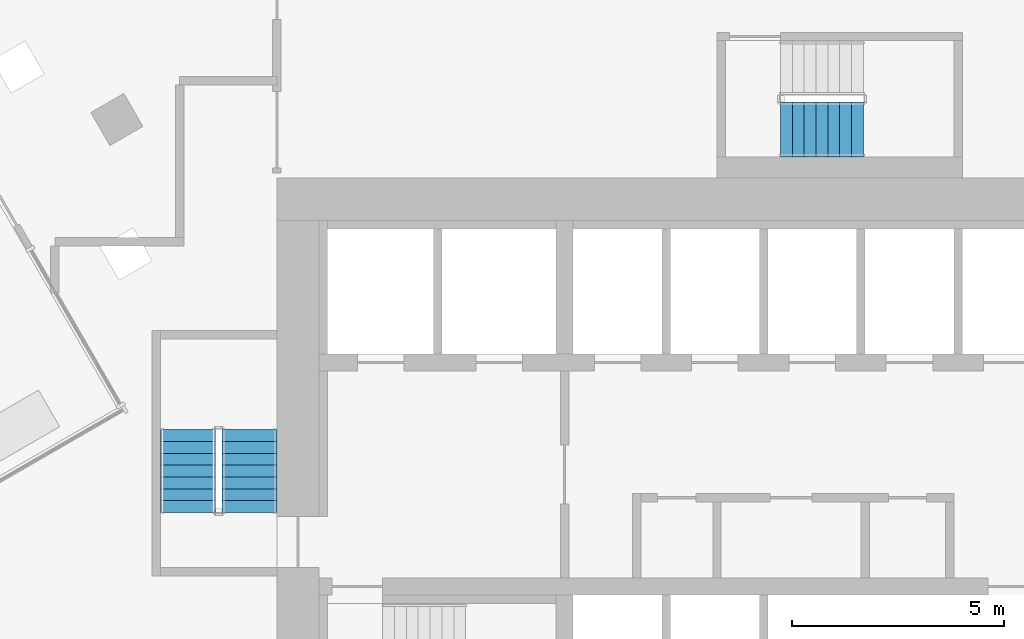
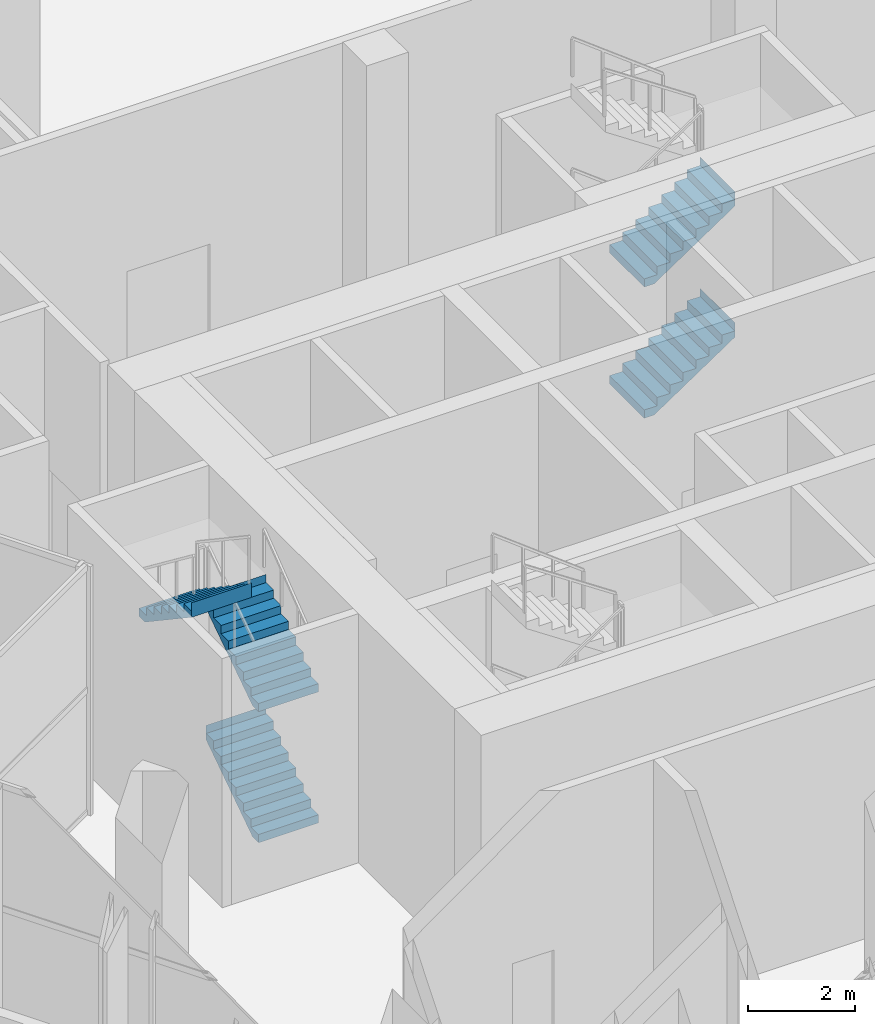
# One storey, part 16 of 23: 5 stair flights, 2 elements without a shape of their own.
"""IFC4 building model written with IfcOpenShell, lengths in metres."""

from ifc_helpers import new_model, si_unit, direction, frame, origin, place, context, subcontext, project, spatial, triangles, material, type_object, element, aggregate, save


model = new_model("IFC4")

# Units and contexts
model_context = context("Model", 3, precision=1e-05, world=origin(), true_north=direction((0.0, 1.0)))
body_context = subcontext(model_context, "Body", "Model", "MODEL_VIEW")
ifc_project = project(units=[si_unit("LENGTHUNIT", "METRE"), si_unit("AREAUNIT", "SQUARE_METRE"), si_unit("VOLUMEUNIT", "CUBIC_METRE"), si_unit("PLANEANGLEUNIT", "RADIAN"), si_unit("MASSUNIT", "GRAM", prefix="KILO")], contexts=[model_context])

# Site, building, storey
site_placement = place(None, origin())
site = spatial("IfcSite", under=ifc_project, at=site_placement, CompositionType="ELEMENT")
building_placement = place(site_placement, origin())
building = spatial("IfcBuilding", under=site, at=building_placement, Name="Beryl Residences", CompositionType="ELEMENT")
storey_placement = place(building_placement, frame((0.0, 0.0, 66.0)))
storey = spatial("IfcBuildingStorey", under=building, at=storey_placement, Name="L20", CompositionType="ELEMENT", Elevation=66.0)

# Stair, stair flights
ifc_material_1 = material(Name="Concrete C40/50", Category="concrete")
stair_type = type_object("IfcStairType", Name="ST1 protected exit stair, half-turn, 1300 mm flights", PredefinedType="HALF_TURN_STAIR", material=ifc_material_1)
stair_1_placement = place(storey_placement, origin())
stair_1 = element("IfcStair", 1, at=stair_1_placement, inside=storey, type_object=stair_type, Name="L20 PROTECTED EXIT STAIR ST-2", PredefinedType="HALF_TURN_STAIR")
ifc_material_2 = material(Name="Concrete C40/50", Category="concrete")
stair_flight_type = type_object("IfcStairFlightType", Name="SF1 stair flight 1300 mm", PredefinedType="STRAIGHT", material=ifc_material_2)
stair_flight_1_placement = place(storey_placement, frame((-13.949951171875, -12.89990234375, 0.0), z_axis=(0.0, 0.0, 1.0), x_axis=(0.0, 1.0, 0.0)))
stair_flight_1 = element("IfcStairFlight", 2, at=stair_flight_1_placement, type_object=stair_flight_type, Name="ST-2 flight 1", NumberOfRisers=8, NumberOfTreads=7, PredefinedType="STRAIGHT", RiserHeight=0.1875, TreadLength=0.28, context=body_context, shape_type="Tessellation", body=[
    triangles([(0.0, -0.64990234375, 0.0), (0.0, -0.324951171875, 0.0), (0.0, 0.0, 0.0), (0.0, 0.324951171875, 0.0), (0.0, 0.64990234375, 0.0), (0.0, -0.64990234375, 0.1875), (0.0, -0.324951171875, 0.1875), (0.0, 0.0, 0.1875), (0.0, 0.324951171875, 0.1875), (0.0, 0.64990234375, 0.1875), (0.280029296875, -0.64990234375, 0.1875), (0.280029296875, -0.324951171875, 0.1875), (0.280029296875, 0.0, 0.1875), (0.280029296875, 0.324951171875, 0.1875), (0.280029296875, 0.64990234375, 0.1875), (0.280029296875, -0.64990234375, 0.375), (0.280029296875, -0.324951171875, 0.375), (0.280029296875, 0.0, 0.375), (0.280029296875, 0.324951171875, 0.375), (0.280029296875, 0.64990234375, 0.375), (0.56005859375, -0.64990234375, 0.375), (0.56005859375, -0.324951171875, 0.375), (0.56005859375, 0.0, 0.375), (0.56005859375, 0.324951171875, 0.375), (0.56005859375, 0.64990234375, 0.375), (0.56005859375, -0.64990234375, 0.5625), (0.56005859375, -0.324951171875, 0.5625), (0.56005859375, 0.0, 0.5625), (0.56005859375, 0.324951171875, 0.5625), (0.56005859375, 0.64990234375, 0.5625), (0.840087890625, -0.64990234375, 0.5625), (0.840087890625, -0.324951171875, 0.5625), (0.840087890625, 0.0, 0.5625), (0.840087890625, 0.324951171875, 0.5625), (0.840087890625, 0.64990234375, 0.5625), (0.840087890625, -0.64990234375, 0.75), (0.840087890625, -0.324951171875, 0.75), (0.840087890625, 0.0, 0.75), (0.840087890625, 0.324951171875, 0.75), (0.840087890625, 0.64990234375, 0.75), (1.1201171875, -0.64990234375, 0.75), (1.1201171875, -0.324951171875, 0.75), (1.1201171875, 0.0, 0.75), (1.1201171875, 0.324951171875, 0.75), (1.1201171875, 0.64990234375, 0.75), (1.1201171875, -0.64990234375, 0.9375), (1.1201171875, -0.324951171875, 0.9375), (1.1201171875, 0.0, 0.9375), (1.1201171875, 0.324951171875, 0.9375), (1.1201171875, 0.64990234375, 0.9375), (1.39990234375, -0.64990234375, 0.9375), (1.39990234375, -0.324951171875, 0.9375), (1.39990234375, 0.0, 0.9375), (1.39990234375, 0.324951171875, 0.9375), (1.39990234375, 0.64990234375, 0.9375), (1.39990234375, -0.64990234375, 1.125), (1.39990234375, -0.324951171875, 1.125), (1.39990234375, 0.0, 1.125), (1.39990234375, 0.324951171875, 1.125), (1.39990234375, 0.64990234375, 1.125), (1.679931640625, -0.64990234375, 1.125), (1.679931640625, -0.324951171875, 1.125), (1.679931640625, 0.0, 1.125), (1.679931640625, 0.324951171875, 1.125), (1.679931640625, 0.64990234375, 1.125), (1.679931640625, -0.64990234375, 1.3125), (1.679931640625, -0.324951171875, 1.3125), (1.679931640625, 0.0, 1.3125), (1.679931640625, 0.324951171875, 1.3125), (1.679931640625, 0.64990234375, 1.3125), (1.9599609375, -0.64990234375, 1.3125), (1.9599609375, -0.324951171875, 1.3125), (1.9599609375, 0.0, 1.3125), (1.9599609375, 0.324951171875, 1.3125), (1.9599609375, 0.64990234375, 1.3125), (1.9599609375, -0.64990234375, 1.5), (1.9599609375, -0.324951171875, 1.5), (1.9599609375, 0.0, 1.5), (1.9599609375, 0.324951171875, 1.5), (1.9599609375, 0.64990234375, 1.5), (1.9609375, -0.64990234375, 1.5), (1.9609375, -0.324951171875, 1.5), (1.9609375, 0.0, 1.5), (1.9609375, 0.324951171875, 1.5), (1.9609375, 0.64990234375, 1.5), (1.9609375, -0.64990234375, 1.16796875), (1.9609375, -0.324951171875, 1.16796875), (1.9609375, 0.0, 1.16796875), (1.9609375, 0.324951171875, 1.16796875), (1.9609375, 0.64990234375, 1.16796875), (0.216796875, -0.64990234375, 0.0), (0.216796875, -0.324951171875, 0.0), (0.216796875, 0.0, 0.0), (0.216796875, 0.324951171875, 0.0), (0.216796875, 0.64990234375, 0.0)], [[1, 6, 7], [1, 7, 2], [2, 7, 8], [2, 8, 3], [3, 8, 9], [3, 9, 4], [4, 9, 10], [4, 10, 5], [6, 11, 12], [6, 12, 7], [7, 12, 13], [7, 13, 8], [8, 13, 14], [8, 14, 9], [9, 14, 15], [9, 15, 10], [11, 16, 17], [11, 17, 12], [12, 17, 18], [12, 18, 13], [13, 18, 19], [13, 19, 14], [14, 19, 20], [14, 20, 15], [16, 21, 22], [16, 22, 17], [17, 22, 23], [17, 23, 18], [18, 23, 24], [18, 24, 19], [19, 24, 25], [19, 25, 20], [21, 26, 27], [21, 27, 22], [22, 27, 28], [22, 28, 23], [23, 28, 29], [23, 29, 24], [24, 29, 30], [24, 30, 25], [26, 31, 32], [26, 32, 27], [27, 32, 33], [27, 33, 28], [28, 33, 34], [28, 34, 29], [29, 34, 35], [29, 35, 30], [31, 36, 37], [31, 37, 32], [32, 37, 38], [32, 38, 33], [33, 38, 39], [33, 39, 34], [34, 39, 40], [34, 40, 35], [36, 41, 42], [36, 42, 37], [37, 42, 43], [37, 43, 38], [38, 43, 44], [38, 44, 39], [39, 44, 45], [39, 45, 40], [41, 46, 47], [41, 47, 42], [42, 47, 48], [42, 48, 43], [43, 48, 49], [43, 49, 44], [44, 49, 50], [44, 50, 45], [46, 51, 52], [46, 52, 47], [47, 52, 53], [47, 53, 48], [48, 53, 54], [48, 54, 49], [49, 54, 55], [49, 55, 50], [51, 56, 57], [51, 57, 52], [52, 57, 58], [52, 58, 53], [53, 58, 59], [53, 59, 54], [54, 59, 60], [54, 60, 55], [56, 61, 62], [56, 62, 57], [57, 62, 63], [57, 63, 58], [58, 63, 64], [58, 64, 59], [59, 64, 65], [59, 65, 60], [61, 66, 67], [61, 67, 62], [62, 67, 68], [62, 68, 63], [63, 68, 69], [63, 69, 64], [64, 69, 70], [64, 70, 65], [66, 71, 72], [66, 72, 67], [67, 72, 73], [67, 73, 68], [68, 73, 74], [68, 74, 69], [69, 74, 75], [69, 75, 70], [71, 76, 77], [71, 77, 72], [72, 77, 78], [72, 78, 73], [73, 78, 79], [73, 79, 74], [74, 79, 80], [74, 80, 75], [76, 81, 82], [76, 82, 77], [77, 82, 83], [77, 83, 78], [78, 83, 84], [78, 84, 79], [79, 84, 85], [79, 85, 80], [81, 86, 87], [81, 87, 82], [82, 87, 88], [82, 88, 83], [83, 88, 89], [83, 89, 84], [84, 89, 90], [84, 90, 85], [86, 91, 92], [86, 92, 87], [87, 92, 93], [87, 93, 88], [88, 93, 94], [88, 94, 89], [89, 94, 95], [89, 95, 90], [91, 1, 2], [91, 2, 92], [92, 2, 3], [92, 3, 93], [93, 3, 4], [93, 4, 94], [94, 4, 5], [94, 5, 95], [1, 91, 86], [5, 90, 95], [86, 81, 76], [90, 80, 85], [86, 76, 71], [90, 75, 80], [86, 71, 66], [90, 70, 75], [86, 66, 61], [90, 65, 70], [61, 56, 51], [65, 55, 60], [86, 61, 51], [90, 55, 65], [51, 46, 41], [55, 45, 50], [86, 51, 41], [90, 45, 55], [41, 36, 31], [45, 35, 40], [86, 41, 31], [90, 35, 45], [31, 26, 21], [35, 25, 30], [86, 31, 21], [90, 25, 35], [21, 16, 11], [25, 15, 20], [86, 21, 11], [90, 15, 25], [1, 86, 11], [5, 15, 90], [11, 6, 1], [15, 5, 10]], closed=True),
])
stair_flight_2_placement = place(storey_placement, frame((-13.949951171875, -12.89990234375, 3.0), z_axis=(0.0, 0.0, 1.0), x_axis=(0.0, 1.0, 0.0)))
stair_flight_2 = element("IfcStairFlight", 3, at=stair_flight_2_placement, type_object=stair_flight_type, Name="ST-2 flight 3", NumberOfRisers=8, NumberOfTreads=7, PredefinedType="STRAIGHT", RiserHeight=0.1875, TreadLength=0.28, context=body_context, shape_type="Tessellation", body=[
    triangles([(0.0, -0.64990234375, 0.0), (0.0, -0.324951171875, 0.0), (0.0, 0.0, 0.0), (0.0, 0.324951171875, 0.0), (0.0, 0.64990234375, 0.0), (0.0, -0.64990234375, 0.1875), (0.0, -0.324951171875, 0.1875), (0.0, 0.0, 0.1875), (0.0, 0.324951171875, 0.1875), (0.0, 0.64990234375, 0.1875), (0.280029296875, -0.64990234375, 0.1875), (0.280029296875, -0.324951171875, 0.1875), (0.280029296875, 0.0, 0.1875), (0.280029296875, 0.324951171875, 0.1875), (0.280029296875, 0.64990234375, 0.1875), (0.280029296875, -0.64990234375, 0.375), (0.280029296875, -0.324951171875, 0.375), (0.280029296875, 0.0, 0.375), (0.280029296875, 0.324951171875, 0.375), (0.280029296875, 0.64990234375, 0.375), (0.56005859375, -0.64990234375, 0.375), (0.56005859375, -0.324951171875, 0.375), (0.56005859375, 0.0, 0.375), (0.56005859375, 0.324951171875, 0.375), (0.56005859375, 0.64990234375, 0.375), (0.56005859375, -0.64990234375, 0.5625), (0.56005859375, -0.324951171875, 0.5625), (0.56005859375, 0.0, 0.5625), (0.56005859375, 0.324951171875, 0.5625), (0.56005859375, 0.64990234375, 0.5625), (0.840087890625, -0.64990234375, 0.5625), (0.840087890625, -0.324951171875, 0.5625), (0.840087890625, 0.0, 0.5625), (0.840087890625, 0.324951171875, 0.5625), (0.840087890625, 0.64990234375, 0.5625), (0.840087890625, -0.64990234375, 0.75), (0.840087890625, -0.324951171875, 0.75), (0.840087890625, 0.0, 0.75), (0.840087890625, 0.324951171875, 0.75), (0.840087890625, 0.64990234375, 0.75), (1.1201171875, -0.64990234375, 0.75), (1.1201171875, -0.324951171875, 0.75), (1.1201171875, 0.0, 0.75), (1.1201171875, 0.324951171875, 0.75), (1.1201171875, 0.64990234375, 0.75), (1.1201171875, -0.64990234375, 0.9375), (1.1201171875, -0.324951171875, 0.9375), (1.1201171875, 0.0, 0.9375), (1.1201171875, 0.324951171875, 0.9375), (1.1201171875, 0.64990234375, 0.9375), (1.39990234375, -0.64990234375, 0.9375), (1.39990234375, -0.324951171875, 0.9375), (1.39990234375, 0.0, 0.9375), (1.39990234375, 0.324951171875, 0.9375), (1.39990234375, 0.64990234375, 0.9375), (1.39990234375, -0.64990234375, 1.125), (1.39990234375, -0.324951171875, 1.125), (1.39990234375, 0.0, 1.125), (1.39990234375, 0.324951171875, 1.125), (1.39990234375, 0.64990234375, 1.125), (1.679931640625, -0.64990234375, 1.125), (1.679931640625, -0.324951171875, 1.125), (1.679931640625, 0.0, 1.125), (1.679931640625, 0.324951171875, 1.125), (1.679931640625, 0.64990234375, 1.125), (1.679931640625, -0.64990234375, 1.3125), (1.679931640625, -0.324951171875, 1.3125), (1.679931640625, 0.0, 1.3125), (1.679931640625, 0.324951171875, 1.3125), (1.679931640625, 0.64990234375, 1.3125), (1.9599609375, -0.64990234375, 1.3125), (1.9599609375, -0.324951171875, 1.3125), (1.9599609375, 0.0, 1.3125), (1.9599609375, 0.324951171875, 1.3125), (1.9599609375, 0.64990234375, 1.3125), (1.9599609375, -0.64990234375, 1.5), (1.9599609375, -0.324951171875, 1.5), (1.9599609375, 0.0, 1.5), (1.9599609375, 0.324951171875, 1.5), (1.9599609375, 0.64990234375, 1.5), (1.9609375, -0.64990234375, 1.5), (1.9609375, -0.324951171875, 1.5), (1.9609375, 0.0, 1.5), (1.9609375, 0.324951171875, 1.5), (1.9609375, 0.64990234375, 1.5), (1.9609375, -0.64990234375, 1.16796875), (1.9609375, -0.324951171875, 1.16796875), (1.9609375, 0.0, 1.16796875), (1.9609375, 0.324951171875, 1.16796875), (1.9609375, 0.64990234375, 1.16796875), (0.216796875, -0.64990234375, 0.0), (0.216796875, -0.324951171875, 0.0), (0.216796875, 0.0, 0.0), (0.216796875, 0.324951171875, 0.0), (0.216796875, 0.64990234375, 0.0)], [[1, 6, 7], [1, 7, 2], [2, 7, 8], [2, 8, 3], [3, 8, 9], [3, 9, 4], [4, 9, 10], [4, 10, 5], [6, 11, 12], [6, 12, 7], [7, 12, 13], [7, 13, 8], [8, 13, 14], [8, 14, 9], [9, 14, 15], [9, 15, 10], [11, 16, 17], [11, 17, 12], [12, 17, 18], [12, 18, 13], [13, 18, 19], [13, 19, 14], [14, 19, 20], [14, 20, 15], [16, 21, 22], [16, 22, 17], [17, 22, 23], [17, 23, 18], [18, 23, 24], [18, 24, 19], [19, 24, 25], [19, 25, 20], [21, 26, 27], [21, 27, 22], [22, 27, 28], [22, 28, 23], [23, 28, 29], [23, 29, 24], [24, 29, 30], [24, 30, 25], [26, 31, 32], [26, 32, 27], [27, 32, 33], [27, 33, 28], [28, 33, 34], [28, 34, 29], [29, 34, 35], [29, 35, 30], [31, 36, 37], [31, 37, 32], [32, 37, 38], [32, 38, 33], [33, 38, 39], [33, 39, 34], [34, 39, 40], [34, 40, 35], [36, 41, 42], [36, 42, 37], [37, 42, 43], [37, 43, 38], [38, 43, 44], [38, 44, 39], [39, 44, 45], [39, 45, 40], [41, 46, 47], [41, 47, 42], [42, 47, 48], [42, 48, 43], [43, 48, 49], [43, 49, 44], [44, 49, 50], [44, 50, 45], [46, 51, 52], [46, 52, 47], [47, 52, 53], [47, 53, 48], [48, 53, 54], [48, 54, 49], [49, 54, 55], [49, 55, 50], [51, 56, 57], [51, 57, 52], [52, 57, 58], [52, 58, 53], [53, 58, 59], [53, 59, 54], [54, 59, 60], [54, 60, 55], [56, 61, 62], [56, 62, 57], [57, 62, 63], [57, 63, 58], [58, 63, 64], [58, 64, 59], [59, 64, 65], [59, 65, 60], [61, 66, 67], [61, 67, 62], [62, 67, 68], [62, 68, 63], [63, 68, 69], [63, 69, 64], [64, 69, 70], [64, 70, 65], [66, 71, 72], [66, 72, 67], [67, 72, 73], [67, 73, 68], [68, 73, 74], [68, 74, 69], [69, 74, 75], [69, 75, 70], [71, 76, 77], [71, 77, 72], [72, 77, 78], [72, 78, 73], [73, 78, 79], [73, 79, 74], [74, 79, 80], [74, 80, 75], [76, 81, 82], [76, 82, 77], [77, 82, 83], [77, 83, 78], [78, 83, 84], [78, 84, 79], [79, 84, 85], [79, 85, 80], [81, 86, 87], [81, 87, 82], [82, 87, 88], [82, 88, 83], [83, 88, 89], [83, 89, 84], [84, 89, 90], [84, 90, 85], [86, 91, 92], [86, 92, 87], [87, 92, 93], [87, 93, 88], [88, 93, 94], [88, 94, 89], [89, 94, 95], [89, 95, 90], [91, 1, 2], [91, 2, 92], [92, 2, 3], [92, 3, 93], [93, 3, 4], [93, 4, 94], [94, 4, 5], [94, 5, 95], [1, 91, 86], [5, 90, 95], [86, 81, 76], [90, 80, 85], [86, 76, 71], [90, 75, 80], [86, 71, 66], [90, 70, 75], [86, 66, 61], [90, 65, 70], [61, 56, 51], [65, 55, 60], [86, 61, 51], [90, 55, 65], [51, 46, 41], [55, 45, 50], [86, 51, 41], [90, 45, 55], [41, 36, 31], [45, 35, 40], [86, 41, 31], [90, 35, 45], [31, 26, 21], [35, 25, 30], [86, 31, 21], [90, 25, 35], [21, 16, 11], [25, 15, 20], [86, 21, 11], [90, 15, 25], [1, 86, 11], [5, 15, 90], [11, 6, 1], [15, 5, 10]], closed=True),
])
stair_flight_3_placement = place(storey_placement, frame((-15.39990234375, -10.93994140625, 4.5), z_axis=(0.0, 0.0, 1.0), x_axis=(0.0, -1.0, 0.0)))
stair_flight_3 = element("IfcStairFlight", 4, at=stair_flight_3_placement, type_object=stair_flight_type, Name="ST-2 flight 4", NumberOfRisers=8, NumberOfTreads=7, PredefinedType="STRAIGHT", RiserHeight=0.1875, TreadLength=0.28, context=body_context, shape_type="Tessellation", body=[
    triangles([(0.0, -0.64990234375, 0.0), (0.0, -0.324951171875, 0.0), (0.0, 0.0, 0.0), (0.0, 0.324951171875, 0.0), (0.0, 0.64990234375, 0.0), (0.0, -0.64990234375, 0.1875), (0.0, -0.324951171875, 0.1875), (0.0, 0.0, 0.1875), (0.0, 0.324951171875, 0.1875), (0.0, 0.64990234375, 0.1875), (0.280029296875, -0.64990234375, 0.1875), (0.280029296875, -0.324951171875, 0.1875), (0.280029296875, 0.0, 0.1875), (0.280029296875, 0.324951171875, 0.1875), (0.280029296875, 0.64990234375, 0.1875), (0.280029296875, -0.64990234375, 0.375), (0.280029296875, -0.324951171875, 0.375), (0.280029296875, 0.0, 0.375), (0.280029296875, 0.324951171875, 0.375), (0.280029296875, 0.64990234375, 0.375), (0.56005859375, -0.64990234375, 0.375), (0.56005859375, -0.324951171875, 0.375), (0.56005859375, 0.0, 0.375), (0.56005859375, 0.324951171875, 0.375), (0.56005859375, 0.64990234375, 0.375), (0.56005859375, -0.64990234375, 0.5625), (0.56005859375, -0.324951171875, 0.5625), (0.56005859375, 0.0, 0.5625), (0.56005859375, 0.324951171875, 0.5625), (0.56005859375, 0.64990234375, 0.5625), (0.840087890625, -0.64990234375, 0.5625), (0.840087890625, -0.324951171875, 0.5625), (0.840087890625, 0.0, 0.5625), (0.840087890625, 0.324951171875, 0.5625), (0.840087890625, 0.64990234375, 0.5625), (0.840087890625, -0.64990234375, 0.75), (0.840087890625, -0.324951171875, 0.75), (0.840087890625, 0.0, 0.75), (0.840087890625, 0.324951171875, 0.75), (0.840087890625, 0.64990234375, 0.75), (1.1201171875, -0.64990234375, 0.75), (1.1201171875, -0.324951171875, 0.75), (1.1201171875, 0.0, 0.75), (1.1201171875, 0.324951171875, 0.75), (1.1201171875, 0.64990234375, 0.75), (1.1201171875, -0.64990234375, 0.9375), (1.1201171875, -0.324951171875, 0.9375), (1.1201171875, 0.0, 0.9375), (1.1201171875, 0.324951171875, 0.9375), (1.1201171875, 0.64990234375, 0.9375), (1.39990234375, -0.64990234375, 0.9375), (1.39990234375, -0.324951171875, 0.9375), (1.39990234375, 0.0, 0.9375), (1.39990234375, 0.324951171875, 0.9375), (1.39990234375, 0.64990234375, 0.9375), (1.39990234375, -0.64990234375, 1.125), (1.39990234375, -0.324951171875, 1.125), (1.39990234375, 0.0, 1.125), (1.39990234375, 0.324951171875, 1.125), (1.39990234375, 0.64990234375, 1.125), (1.679931640625, -0.64990234375, 1.125), (1.679931640625, -0.324951171875, 1.125), (1.679931640625, 0.0, 1.125), (1.679931640625, 0.324951171875, 1.125), (1.679931640625, 0.64990234375, 1.125), (1.679931640625, -0.64990234375, 1.3125), (1.679931640625, -0.324951171875, 1.3125), (1.679931640625, 0.0, 1.3125), (1.679931640625, 0.324951171875, 1.3125), (1.679931640625, 0.64990234375, 1.3125), (1.9599609375, -0.64990234375, 1.3125), (1.9599609375, -0.324951171875, 1.3125), (1.9599609375, 0.0, 1.3125), (1.9599609375, 0.324951171875, 1.3125), (1.9599609375, 0.64990234375, 1.3125), (1.9599609375, -0.64990234375, 1.5), (1.9599609375, -0.324951171875, 1.5), (1.9599609375, 0.0, 1.5), (1.9599609375, 0.324951171875, 1.5), (1.9599609375, 0.64990234375, 1.5), (1.9609375, -0.64990234375, 1.5), (1.9609375, -0.324951171875, 1.5), (1.9609375, 0.0, 1.5), (1.9609375, 0.324951171875, 1.5), (1.9609375, 0.64990234375, 1.5), (1.9609375, -0.64990234375, 1.16796875), (1.9609375, -0.324951171875, 1.16796875), (1.9609375, 0.0, 1.16796875), (1.9609375, 0.324951171875, 1.16796875), (1.9609375, 0.64990234375, 1.16796875), (0.216796875, -0.64990234375, 0.0), (0.216796875, -0.324951171875, 0.0), (0.216796875, 0.0, 0.0), (0.216796875, 0.324951171875, 0.0), (0.216796875, 0.64990234375, 0.0)], [[1, 6, 7], [1, 7, 2], [2, 7, 8], [2, 8, 3], [3, 8, 9], [3, 9, 4], [4, 9, 10], [4, 10, 5], [6, 11, 12], [6, 12, 7], [7, 12, 13], [7, 13, 8], [8, 13, 14], [8, 14, 9], [9, 14, 15], [9, 15, 10], [11, 16, 17], [11, 17, 12], [12, 17, 18], [12, 18, 13], [13, 18, 19], [13, 19, 14], [14, 19, 20], [14, 20, 15], [16, 21, 22], [16, 22, 17], [17, 22, 23], [17, 23, 18], [18, 23, 24], [18, 24, 19], [19, 24, 25], [19, 25, 20], [21, 26, 27], [21, 27, 22], [22, 27, 28], [22, 28, 23], [23, 28, 29], [23, 29, 24], [24, 29, 30], [24, 30, 25], [26, 31, 32], [26, 32, 27], [27, 32, 33], [27, 33, 28], [28, 33, 34], [28, 34, 29], [29, 34, 35], [29, 35, 30], [31, 36, 37], [31, 37, 32], [32, 37, 38], [32, 38, 33], [33, 38, 39], [33, 39, 34], [34, 39, 40], [34, 40, 35], [36, 41, 42], [36, 42, 37], [37, 42, 43], [37, 43, 38], [38, 43, 44], [38, 44, 39], [39, 44, 45], [39, 45, 40], [41, 46, 47], [41, 47, 42], [42, 47, 48], [42, 48, 43], [43, 48, 49], [43, 49, 44], [44, 49, 50], [44, 50, 45], [46, 51, 52], [46, 52, 47], [47, 52, 53], [47, 53, 48], [48, 53, 54], [48, 54, 49], [49, 54, 55], [49, 55, 50], [51, 56, 57], [51, 57, 52], [52, 57, 58], [52, 58, 53], [53, 58, 59], [53, 59, 54], [54, 59, 60], [54, 60, 55], [56, 61, 62], [56, 62, 57], [57, 62, 63], [57, 63, 58], [58, 63, 64], [58, 64, 59], [59, 64, 65], [59, 65, 60], [61, 66, 67], [61, 67, 62], [62, 67, 68], [62, 68, 63], [63, 68, 69], [63, 69, 64], [64, 69, 70], [64, 70, 65], [66, 71, 72], [66, 72, 67], [67, 72, 73], [67, 73, 68], [68, 73, 74], [68, 74, 69], [69, 74, 75], [69, 75, 70], [71, 76, 77], [71, 77, 72], [72, 77, 78], [72, 78, 73], [73, 78, 79], [73, 79, 74], [74, 79, 80], [74, 80, 75], [76, 81, 82], [76, 82, 77], [77, 82, 83], [77, 83, 78], [78, 83, 84], [78, 84, 79], [79, 84, 85], [79, 85, 80], [81, 86, 87], [81, 87, 82], [82, 87, 88], [82, 88, 83], [83, 88, 89], [83, 89, 84], [84, 89, 90], [84, 90, 85], [86, 91, 92], [86, 92, 87], [87, 92, 93], [87, 93, 88], [88, 93, 94], [88, 94, 89], [89, 94, 95], [89, 95, 90], [91, 1, 2], [91, 2, 92], [92, 2, 3], [92, 3, 93], [93, 3, 4], [93, 4, 94], [94, 4, 5], [94, 5, 95], [1, 91, 86], [5, 90, 95], [86, 81, 76], [90, 80, 85], [86, 76, 71], [90, 75, 80], [86, 71, 66], [90, 70, 75], [86, 66, 61], [90, 65, 70], [61, 56, 51], [65, 55, 60], [86, 61, 51], [90, 55, 65], [51, 46, 41], [55, 45, 50], [86, 51, 41], [90, 45, 55], [41, 36, 31], [45, 35, 40], [86, 41, 31], [90, 35, 45], [31, 26, 21], [35, 25, 30], [86, 31, 21], [90, 25, 35], [21, 16, 11], [25, 15, 20], [86, 21, 11], [90, 15, 25], [1, 86, 11], [5, 15, 90], [11, 6, 1], [15, 5, 10]], closed=True),
])
aggregate(stair_1, [stair_flight_1, stair_flight_2, stair_flight_3])

stair_2_placement = place(storey_placement, origin())
stair_2 = element("IfcStair", 5, at=stair_2_placement, inside=storey, type_object=stair_type, Name="L20 PROTECTED EXIT STAIR ST-4", PredefinedType="HALF_TURN_STAIR")
stair_flight_4_placement = place(storey_placement, frame((-1.39990234375, -3.85009765625, 0.0), z_axis=(0.0, 0.0, 1.0), x_axis=(1.0, 0.0, 0.0)))
stair_flight_4 = element("IfcStairFlight", 6, at=stair_flight_4_placement, type_object=stair_flight_type, Name="ST-4 flight 1", NumberOfRisers=8, NumberOfTreads=7, PredefinedType="STRAIGHT", RiserHeight=0.1875, TreadLength=0.28, context=body_context, shape_type="Tessellation", body=[
    triangles([(0.0, -0.64990234375, 0.0), (0.0, -0.324951171875, 0.0), (0.0, 0.0, 0.0), (0.0, 0.324951171875, 0.0), (0.0, 0.64990234375, 0.0), (0.0, -0.64990234375, 0.1875), (0.0, -0.324951171875, 0.1875), (0.0, 0.0, 0.1875), (0.0, 0.324951171875, 0.1875), (0.0, 0.64990234375, 0.1875), (0.280029296875, -0.64990234375, 0.1875), (0.280029296875, -0.324951171875, 0.1875), (0.280029296875, 0.0, 0.1875), (0.280029296875, 0.324951171875, 0.1875), (0.280029296875, 0.64990234375, 0.1875), (0.280029296875, -0.64990234375, 0.375), (0.280029296875, -0.324951171875, 0.375), (0.280029296875, 0.0, 0.375), (0.280029296875, 0.324951171875, 0.375), (0.280029296875, 0.64990234375, 0.375), (0.56005859375, -0.64990234375, 0.375), (0.56005859375, -0.324951171875, 0.375), (0.56005859375, 0.0, 0.375), (0.56005859375, 0.324951171875, 0.375), (0.56005859375, 0.64990234375, 0.375), (0.56005859375, -0.64990234375, 0.5625), (0.56005859375, -0.324951171875, 0.5625), (0.56005859375, 0.0, 0.5625), (0.56005859375, 0.324951171875, 0.5625), (0.56005859375, 0.64990234375, 0.5625), (0.840087890625, -0.64990234375, 0.5625), (0.840087890625, -0.324951171875, 0.5625), (0.840087890625, 0.0, 0.5625), (0.840087890625, 0.324951171875, 0.5625), (0.840087890625, 0.64990234375, 0.5625), (0.840087890625, -0.64990234375, 0.75), (0.840087890625, -0.324951171875, 0.75), (0.840087890625, 0.0, 0.75), (0.840087890625, 0.324951171875, 0.75), (0.840087890625, 0.64990234375, 0.75), (1.1201171875, -0.64990234375, 0.75), (1.1201171875, -0.324951171875, 0.75), (1.1201171875, 0.0, 0.75), (1.1201171875, 0.324951171875, 0.75), (1.1201171875, 0.64990234375, 0.75), (1.1201171875, -0.64990234375, 0.9375), (1.1201171875, -0.324951171875, 0.9375), (1.1201171875, 0.0, 0.9375), (1.1201171875, 0.324951171875, 0.9375), (1.1201171875, 0.64990234375, 0.9375), (1.39990234375, -0.64990234375, 0.9375), (1.39990234375, -0.324951171875, 0.9375), (1.39990234375, 0.0, 0.9375), (1.39990234375, 0.324951171875, 0.9375), (1.39990234375, 0.64990234375, 0.9375), (1.39990234375, -0.64990234375, 1.125), (1.39990234375, -0.324951171875, 1.125), (1.39990234375, 0.0, 1.125), (1.39990234375, 0.324951171875, 1.125), (1.39990234375, 0.64990234375, 1.125), (1.679931640625, -0.64990234375, 1.125), (1.679931640625, -0.324951171875, 1.125), (1.679931640625, 0.0, 1.125), (1.679931640625, 0.324951171875, 1.125), (1.679931640625, 0.64990234375, 1.125), (1.679931640625, -0.64990234375, 1.3125), (1.679931640625, -0.324951171875, 1.3125), (1.679931640625, 0.0, 1.3125), (1.679931640625, 0.324951171875, 1.3125), (1.679931640625, 0.64990234375, 1.3125), (1.9599609375, -0.64990234375, 1.3125), (1.9599609375, -0.324951171875, 1.3125), (1.9599609375, 0.0, 1.3125), (1.9599609375, 0.324951171875, 1.3125), (1.9599609375, 0.64990234375, 1.3125), (1.9599609375, -0.64990234375, 1.5), (1.9599609375, -0.324951171875, 1.5), (1.9599609375, 0.0, 1.5), (1.9599609375, 0.324951171875, 1.5), (1.9599609375, 0.64990234375, 1.5), (1.9609375, -0.64990234375, 1.5), (1.9609375, -0.324951171875, 1.5), (1.9609375, 0.0, 1.5), (1.9609375, 0.324951171875, 1.5), (1.9609375, 0.64990234375, 1.5), (1.9609375, -0.64990234375, 1.16796875), (1.9609375, -0.324951171875, 1.16796875), (1.9609375, 0.0, 1.16796875), (1.9609375, 0.324951171875, 1.16796875), (1.9609375, 0.64990234375, 1.16796875), (0.216796875, -0.64990234375, 0.0), (0.216796875, -0.324951171875, 0.0), (0.216796875, 0.0, 0.0), (0.216796875, 0.324951171875, 0.0), (0.216796875, 0.64990234375, 0.0)], [[1, 6, 7], [1, 7, 2], [2, 7, 8], [2, 8, 3], [3, 8, 9], [3, 9, 4], [4, 9, 10], [4, 10, 5], [6, 11, 12], [6, 12, 7], [7, 12, 13], [7, 13, 8], [8, 13, 14], [8, 14, 9], [9, 14, 15], [9, 15, 10], [11, 16, 17], [11, 17, 12], [12, 17, 18], [12, 18, 13], [13, 18, 19], [13, 19, 14], [14, 19, 20], [14, 20, 15], [16, 21, 22], [16, 22, 17], [17, 22, 23], [17, 23, 18], [18, 23, 24], [18, 24, 19], [19, 24, 25], [19, 25, 20], [21, 26, 27], [21, 27, 22], [22, 27, 28], [22, 28, 23], [23, 28, 29], [23, 29, 24], [24, 29, 30], [24, 30, 25], [26, 31, 32], [26, 32, 27], [27, 32, 33], [27, 33, 28], [28, 33, 34], [28, 34, 29], [29, 34, 35], [29, 35, 30], [31, 36, 37], [31, 37, 32], [32, 37, 38], [32, 38, 33], [33, 38, 39], [33, 39, 34], [34, 39, 40], [34, 40, 35], [36, 41, 42], [36, 42, 37], [37, 42, 43], [37, 43, 38], [38, 43, 44], [38, 44, 39], [39, 44, 45], [39, 45, 40], [41, 46, 47], [41, 47, 42], [42, 47, 48], [42, 48, 43], [43, 48, 49], [43, 49, 44], [44, 49, 50], [44, 50, 45], [46, 51, 52], [46, 52, 47], [47, 52, 53], [47, 53, 48], [48, 53, 54], [48, 54, 49], [49, 54, 55], [49, 55, 50], [51, 56, 57], [51, 57, 52], [52, 57, 58], [52, 58, 53], [53, 58, 59], [53, 59, 54], [54, 59, 60], [54, 60, 55], [56, 61, 62], [56, 62, 57], [57, 62, 63], [57, 63, 58], [58, 63, 64], [58, 64, 59], [59, 64, 65], [59, 65, 60], [61, 66, 67], [61, 67, 62], [62, 67, 68], [62, 68, 63], [63, 68, 69], [63, 69, 64], [64, 69, 70], [64, 70, 65], [66, 71, 72], [66, 72, 67], [67, 72, 73], [67, 73, 68], [68, 73, 74], [68, 74, 69], [69, 74, 75], [69, 75, 70], [71, 76, 77], [71, 77, 72], [72, 77, 78], [72, 78, 73], [73, 78, 79], [73, 79, 74], [74, 79, 80], [74, 80, 75], [76, 81, 82], [76, 82, 77], [77, 82, 83], [77, 83, 78], [78, 83, 84], [78, 84, 79], [79, 84, 85], [79, 85, 80], [81, 86, 87], [81, 87, 82], [82, 87, 88], [82, 88, 83], [83, 88, 89], [83, 89, 84], [84, 89, 90], [84, 90, 85], [86, 91, 92], [86, 92, 87], [87, 92, 93], [87, 93, 88], [88, 93, 94], [88, 94, 89], [89, 94, 95], [89, 95, 90], [91, 1, 2], [91, 2, 92], [92, 2, 3], [92, 3, 93], [93, 3, 4], [93, 4, 94], [94, 4, 5], [94, 5, 95], [1, 91, 86], [5, 90, 95], [86, 81, 76], [90, 80, 85], [86, 76, 71], [90, 75, 80], [86, 71, 66], [90, 70, 75], [86, 66, 61], [90, 65, 70], [61, 56, 51], [65, 55, 60], [86, 61, 51], [90, 55, 65], [51, 46, 41], [55, 45, 50], [86, 51, 41], [90, 45, 55], [41, 36, 31], [45, 35, 40], [86, 41, 31], [90, 35, 45], [31, 26, 21], [35, 25, 30], [86, 31, 21], [90, 25, 35], [21, 16, 11], [25, 15, 20], [86, 21, 11], [90, 15, 25], [1, 86, 11], [5, 15, 90], [11, 6, 1], [15, 5, 10]], closed=True),
])
stair_flight_5_placement = place(storey_placement, frame((-1.39990234375, -3.85009765625, 3.0), z_axis=(0.0, 0.0, 1.0), x_axis=(1.0, 0.0, 0.0)))
stair_flight_5 = element("IfcStairFlight", 7, at=stair_flight_5_placement, type_object=stair_flight_type, Name="ST-4 flight 3", NumberOfRisers=8, NumberOfTreads=7, PredefinedType="STRAIGHT", RiserHeight=0.1875, TreadLength=0.28, context=body_context, shape_type="Tessellation", body=[
    triangles([(0.0, -0.64990234375, 0.0), (0.0, -0.324951171875, 0.0), (0.0, 0.0, 0.0), (0.0, 0.324951171875, 0.0), (0.0, 0.64990234375, 0.0), (0.0, -0.64990234375, 0.1875), (0.0, -0.324951171875, 0.1875), (0.0, 0.0, 0.1875), (0.0, 0.324951171875, 0.1875), (0.0, 0.64990234375, 0.1875), (0.280029296875, -0.64990234375, 0.1875), (0.280029296875, -0.324951171875, 0.1875), (0.280029296875, 0.0, 0.1875), (0.280029296875, 0.324951171875, 0.1875), (0.280029296875, 0.64990234375, 0.1875), (0.280029296875, -0.64990234375, 0.375), (0.280029296875, -0.324951171875, 0.375), (0.280029296875, 0.0, 0.375), (0.280029296875, 0.324951171875, 0.375), (0.280029296875, 0.64990234375, 0.375), (0.56005859375, -0.64990234375, 0.375), (0.56005859375, -0.324951171875, 0.375), (0.56005859375, 0.0, 0.375), (0.56005859375, 0.324951171875, 0.375), (0.56005859375, 0.64990234375, 0.375), (0.56005859375, -0.64990234375, 0.5625), (0.56005859375, -0.324951171875, 0.5625), (0.56005859375, 0.0, 0.5625), (0.56005859375, 0.324951171875, 0.5625), (0.56005859375, 0.64990234375, 0.5625), (0.840087890625, -0.64990234375, 0.5625), (0.840087890625, -0.324951171875, 0.5625), (0.840087890625, 0.0, 0.5625), (0.840087890625, 0.324951171875, 0.5625), (0.840087890625, 0.64990234375, 0.5625), (0.840087890625, -0.64990234375, 0.75), (0.840087890625, -0.324951171875, 0.75), (0.840087890625, 0.0, 0.75), (0.840087890625, 0.324951171875, 0.75), (0.840087890625, 0.64990234375, 0.75), (1.1201171875, -0.64990234375, 0.75), (1.1201171875, -0.324951171875, 0.75), (1.1201171875, 0.0, 0.75), (1.1201171875, 0.324951171875, 0.75), (1.1201171875, 0.64990234375, 0.75), (1.1201171875, -0.64990234375, 0.9375), (1.1201171875, -0.324951171875, 0.9375), (1.1201171875, 0.0, 0.9375), (1.1201171875, 0.324951171875, 0.9375), (1.1201171875, 0.64990234375, 0.9375), (1.39990234375, -0.64990234375, 0.9375), (1.39990234375, -0.324951171875, 0.9375), (1.39990234375, 0.0, 0.9375), (1.39990234375, 0.324951171875, 0.9375), (1.39990234375, 0.64990234375, 0.9375), (1.39990234375, -0.64990234375, 1.125), (1.39990234375, -0.324951171875, 1.125), (1.39990234375, 0.0, 1.125), (1.39990234375, 0.324951171875, 1.125), (1.39990234375, 0.64990234375, 1.125), (1.679931640625, -0.64990234375, 1.125), (1.679931640625, -0.324951171875, 1.125), (1.679931640625, 0.0, 1.125), (1.679931640625, 0.324951171875, 1.125), (1.679931640625, 0.64990234375, 1.125), (1.679931640625, -0.64990234375, 1.3125), (1.679931640625, -0.324951171875, 1.3125), (1.679931640625, 0.0, 1.3125), (1.679931640625, 0.324951171875, 1.3125), (1.679931640625, 0.64990234375, 1.3125), (1.9599609375, -0.64990234375, 1.3125), (1.9599609375, -0.324951171875, 1.3125), (1.9599609375, 0.0, 1.3125), (1.9599609375, 0.324951171875, 1.3125), (1.9599609375, 0.64990234375, 1.3125), (1.9599609375, -0.64990234375, 1.5), (1.9599609375, -0.324951171875, 1.5), (1.9599609375, 0.0, 1.5), (1.9599609375, 0.324951171875, 1.5), (1.9599609375, 0.64990234375, 1.5), (1.9609375, -0.64990234375, 1.5), (1.9609375, -0.324951171875, 1.5), (1.9609375, 0.0, 1.5), (1.9609375, 0.324951171875, 1.5), (1.9609375, 0.64990234375, 1.5), (1.9609375, -0.64990234375, 1.16796875), (1.9609375, -0.324951171875, 1.16796875), (1.9609375, 0.0, 1.16796875), (1.9609375, 0.324951171875, 1.16796875), (1.9609375, 0.64990234375, 1.16796875), (0.216796875, -0.64990234375, 0.0), (0.216796875, -0.324951171875, 0.0), (0.216796875, 0.0, 0.0), (0.216796875, 0.324951171875, 0.0), (0.216796875, 0.64990234375, 0.0)], [[1, 6, 7], [1, 7, 2], [2, 7, 8], [2, 8, 3], [3, 8, 9], [3, 9, 4], [4, 9, 10], [4, 10, 5], [6, 11, 12], [6, 12, 7], [7, 12, 13], [7, 13, 8], [8, 13, 14], [8, 14, 9], [9, 14, 15], [9, 15, 10], [11, 16, 17], [11, 17, 12], [12, 17, 18], [12, 18, 13], [13, 18, 19], [13, 19, 14], [14, 19, 20], [14, 20, 15], [16, 21, 22], [16, 22, 17], [17, 22, 23], [17, 23, 18], [18, 23, 24], [18, 24, 19], [19, 24, 25], [19, 25, 20], [21, 26, 27], [21, 27, 22], [22, 27, 28], [22, 28, 23], [23, 28, 29], [23, 29, 24], [24, 29, 30], [24, 30, 25], [26, 31, 32], [26, 32, 27], [27, 32, 33], [27, 33, 28], [28, 33, 34], [28, 34, 29], [29, 34, 35], [29, 35, 30], [31, 36, 37], [31, 37, 32], [32, 37, 38], [32, 38, 33], [33, 38, 39], [33, 39, 34], [34, 39, 40], [34, 40, 35], [36, 41, 42], [36, 42, 37], [37, 42, 43], [37, 43, 38], [38, 43, 44], [38, 44, 39], [39, 44, 45], [39, 45, 40], [41, 46, 47], [41, 47, 42], [42, 47, 48], [42, 48, 43], [43, 48, 49], [43, 49, 44], [44, 49, 50], [44, 50, 45], [46, 51, 52], [46, 52, 47], [47, 52, 53], [47, 53, 48], [48, 53, 54], [48, 54, 49], [49, 54, 55], [49, 55, 50], [51, 56, 57], [51, 57, 52], [52, 57, 58], [52, 58, 53], [53, 58, 59], [53, 59, 54], [54, 59, 60], [54, 60, 55], [56, 61, 62], [56, 62, 57], [57, 62, 63], [57, 63, 58], [58, 63, 64], [58, 64, 59], [59, 64, 65], [59, 65, 60], [61, 66, 67], [61, 67, 62], [62, 67, 68], [62, 68, 63], [63, 68, 69], [63, 69, 64], [64, 69, 70], [64, 70, 65], [66, 71, 72], [66, 72, 67], [67, 72, 73], [67, 73, 68], [68, 73, 74], [68, 74, 69], [69, 74, 75], [69, 75, 70], [71, 76, 77], [71, 77, 72], [72, 77, 78], [72, 78, 73], [73, 78, 79], [73, 79, 74], [74, 79, 80], [74, 80, 75], [76, 81, 82], [76, 82, 77], [77, 82, 83], [77, 83, 78], [78, 83, 84], [78, 84, 79], [79, 84, 85], [79, 85, 80], [81, 86, 87], [81, 87, 82], [82, 87, 88], [82, 88, 83], [83, 88, 89], [83, 89, 84], [84, 89, 90], [84, 90, 85], [86, 91, 92], [86, 92, 87], [87, 92, 93], [87, 93, 88], [88, 93, 94], [88, 94, 89], [89, 94, 95], [89, 95, 90], [91, 1, 2], [91, 2, 92], [92, 2, 3], [92, 3, 93], [93, 3, 4], [93, 4, 94], [94, 4, 5], [94, 5, 95], [1, 91, 86], [5, 90, 95], [86, 81, 76], [90, 80, 85], [86, 76, 71], [90, 75, 80], [86, 71, 66], [90, 70, 75], [86, 66, 61], [90, 65, 70], [61, 56, 51], [65, 55, 60], [86, 61, 51], [90, 55, 65], [51, 46, 41], [55, 45, 50], [86, 51, 41], [90, 45, 55], [41, 36, 31], [45, 35, 40], [86, 41, 31], [90, 35, 45], [31, 26, 21], [35, 25, 30], [86, 31, 21], [90, 25, 35], [21, 16, 11], [25, 15, 20], [86, 21, 11], [90, 15, 25], [1, 86, 11], [5, 15, 90], [11, 6, 1], [15, 5, 10]], closed=True),
])
aggregate(stair_2, [stair_flight_4, stair_flight_5])

save(model, "model.ifc")
